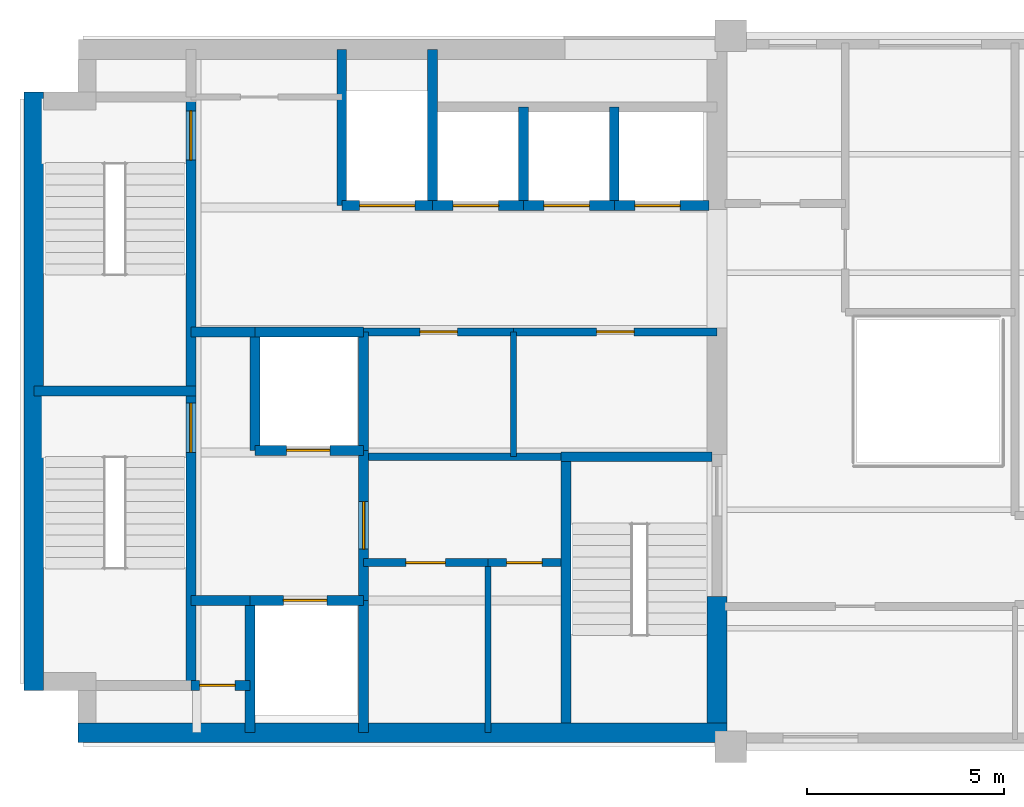
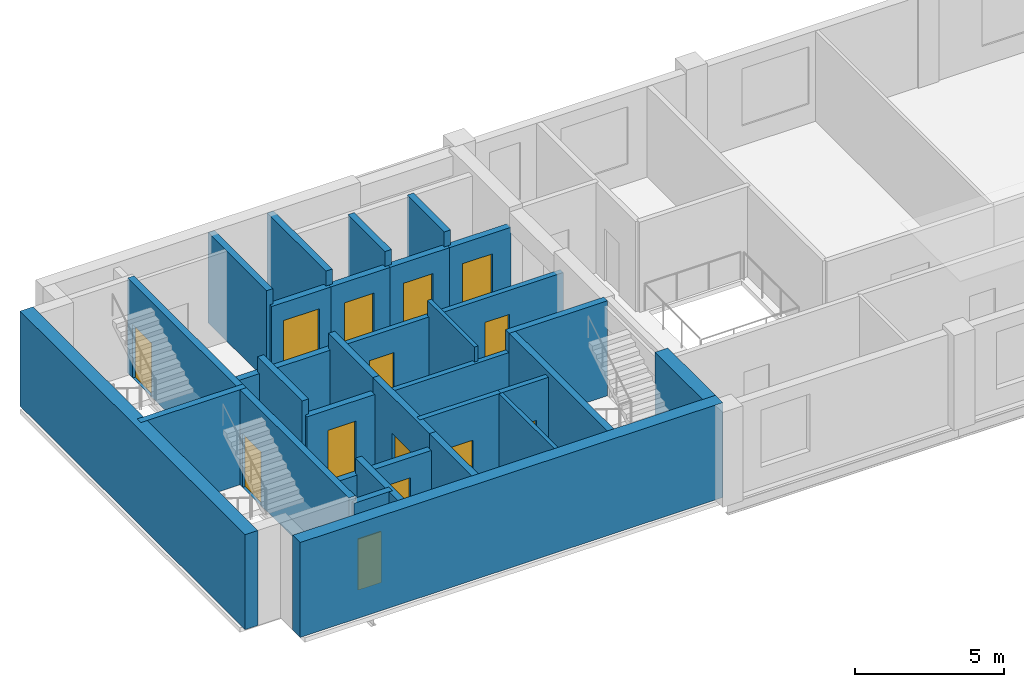
# One storey, part 2 of 5: 34 walls, 14 doors, 14 openings.
"""IFC4 building model written with IfcOpenShell, lengths in metres."""

from ifc_helpers import new_model, si_unit, direction, frame, frame_2d, origin, place, context, subcontext, project, spatial, rectangle, extrude, material, layer, layer_set, type_object, element, fill, save


model = new_model("IFC4")

# Units and contexts
model_context = context("Model", 3, precision=1e-05, world=origin(), true_north=direction((0.0, 1.0)))
body_context = subcontext(model_context, "Body", "Model", "MODEL_VIEW")
ifc_project = project(units=[si_unit("LENGTHUNIT", "METRE"), si_unit("AREAUNIT", "SQUARE_METRE"), si_unit("VOLUMEUNIT", "CUBIC_METRE"), si_unit("PLANEANGLEUNIT", "RADIAN"), si_unit("MASSUNIT", "GRAM", prefix="KILO")], contexts=[model_context])

# Site, building, storey
site_placement = place(None, origin())
site = spatial("IfcSite", under=ifc_project, at=site_placement, CompositionType="ELEMENT")
building_placement = place(site_placement, origin())
building = spatial("IfcBuilding", under=site, at=building_placement, Name="Mawjdan Bourse Tower", CompositionType="ELEMENT")
storey_placement = place(building_placement, frame((0.0, 0.0, 266.39990234375)))
storey = spatial("IfcBuildingStorey", under=building, at=storey_placement, Name="L65", CompositionType="ELEMENT", Elevation=266.39990234375)

# Wall, opening, door
ifc_material_1 = material(Name="Gypsum Fireboard Assembly")
ifc_layer_1 = layer(ifc_material_1, 0.199951171875)
ifc_layer_set_1 = layer_set([ifc_layer_1], Name="Gypsum Fireboard Assembly")
wall_type_1 = type_object("IfcWallType", Name="WL-CMP-200", PredefinedType="PARTITIONING", material=ifc_layer_set_1)
wall_1_placement = place(storey_placement, frame((14.699951171875, 7.659912109375, 0.0), z_axis=(0.0, 0.0, 1.0), x_axis=(1.0, 0.0, 0.0)))
wall_1 = element("IfcWall", 1, at=wall_1_placement, inside=storey, type_object=wall_type_1, Name="L65 Prayer & Quiet Reflection Room North Wall", PredefinedType="PARTITIONING", context=body_context, shape_type="SweptSolid", body=[
    extrude(rectangle(XDim=3.150146484375, YDim=0.199951171875, at=frame_2d((1.5751953125, 0.0))), origin(), (0.0, 0.0, 1.0), 3.705078125),
])
opening_1_placement = place(wall_1_placement, frame((1.074951171875, 0.0, 0.0)))
opening_1 = element("IfcOpeningElement", 2, at=opening_1_placement, cuts=wall_1, Name="Opening D-L65-13", PredefinedType="OPENING", context=body_context, shape_type="SweptSolid", body=[
    extrude(rectangle(XDim=1.0, YDim=2.14990234375, at=frame_2d((0.5, 1.074951171875))), frame((0.0, 0.10986328125, 0.0), z_axis=(0.0, -1.0, 0.0), x_axis=(1.0, 0.0, 0.0)), (0.0, 0.0, 1.0), 0.219970703125),
])
ifc_material_2 = material(Name="Hardwood Acoustic Leaf", Category="wood")
door_type_1 = type_object("IfcDoorType", Name="DR-OFC-1000", OperationType="NOTDEFINED", PredefinedType="DOOR", material=ifc_material_2)
door_1_placement = place(opening_1_placement, origin())
door_1 = element("IfcDoor", 3, at=door_1_placement, inside=storey, type_object=door_type_1, Name="L65 Prayer & Quiet Reflection Room Door D-L65-13", OperationType="SINGLE_SWING_RIGHT", OverallHeight=2.14990234375, OverallWidth=1.0, PredefinedType="DOOR", context=body_context, shape_type="SweptSolid", body=[
    extrude(rectangle(XDim=1.0, YDim=2.14990234375, at=frame_2d((0.5, 1.074951171875))), frame((0.0, 0.02490234375, 0.0), z_axis=(0.0, -1.0, 0.0), x_axis=(1.0, 0.0, 0.0)), (0.0, 0.0, 1.0), 0.050048828125),
])
fill(opening_1, door_1)

wall_2_placement = place(storey_placement, frame((17.85009765625, 7.659912109375, 0.0), z_axis=(0.0, 0.0, 1.0), x_axis=(1.0, 0.0, 0.0)))
wall_2 = element("IfcWall", 4, at=wall_2_placement, inside=storey, type_object=wall_type_1, Name="L65 Electrical Switchboard Room North Wall", PredefinedType="PARTITIONING", context=body_context, shape_type="SweptSolid", body=[
    extrude(rectangle(XDim=1.849853515625, YDim=0.199951171875, at=frame_2d((0.9248046875, 0.0))), origin(), (0.0, 0.0, 1.0), 3.705078125),
])
opening_2_placement = place(wall_2_placement, frame((0.47509765625, 0.0, 0.0)))
opening_2 = element("IfcOpeningElement", 5, at=opening_2_placement, cuts=wall_2, Name="Opening D-L65-14", PredefinedType="OPENING", context=body_context, shape_type="SweptSolid", body=[
    extrude(rectangle(XDim=0.89990234375, YDim=2.10009765625, at=frame_2d((0.449951171875, 1.050048828125))), frame((0.0, 0.10986328125, 0.0), z_axis=(0.0, -1.0, 0.0), x_axis=(1.0, 0.0, 0.0)), (0.0, 0.0, 1.0), 0.219970703125),
])
ifc_material_3 = material(Name="Fire-Rated Steel Access Leaf", Category="steel")
door_type_2 = type_object("IfcDoorType", Name="FD-RSR-0900", OperationType="NOTDEFINED", PredefinedType="TRAPDOOR", material=ifc_material_3)
door_2_placement = place(opening_2_placement, origin())
door_2 = element("IfcDoor", 6, at=door_2_placement, inside=storey, type_object=door_type_2, Name="L65 Electrical Switchboard Room Door D-L65-14", OperationType="SINGLE_SWING_LEFT", OverallHeight=2.10009765625, OverallWidth=0.89990234375, PredefinedType="TRAPDOOR", context=body_context, shape_type="SweptSolid", body=[
    extrude(rectangle(XDim=0.89990234375, YDim=2.10009765625, at=frame_2d((0.449951171875, 1.050048828125))), frame((0.0, 0.02490234375, 0.0), z_axis=(0.0, -1.0, 0.0), x_axis=(1.0, 0.0, 0.0)), (0.0, 0.0, 1.0), 0.050048828125),
])
fill(opening_2, door_2)

# Wall
wall_3_placement = place(storey_placement, frame((14.824951171875, 10.340087890625, 0.0), z_axis=(0.0, 0.0, 1.0), x_axis=(1.0, 0.0, 0.0)))
element("IfcWall", 7, at=wall_3_placement, inside=storey, type_object=wall_type_1, Name="L65 Core Restroom Suite South Wall", PredefinedType="PARTITIONING", context=body_context, shape_type="SweptSolid", body=[
    extrude(rectangle(XDim=4.880126953125, YDim=0.199951171875, at=frame_2d((2.43994140625, 0.0))), origin(), (0.0, 0.0, 1.0), 3.088134765625),
])

# Wall, opening, door
wall_4_placement = place(storey_placement, frame((14.699951171875, 13.5, 0.0), z_axis=(0.0, 0.0, 1.0), x_axis=(1.0, 0.0, 0.0)))
wall_4 = element("IfcWall", 8, at=wall_4_placement, inside=storey, type_object=wall_type_1, Name="L65 Accessible WC North Wall", PredefinedType="PARTITIONING", context=body_context, shape_type="SweptSolid", body=[
    extrude(rectangle(XDim=3.800048828125, YDim=0.199951171875, at=frame_2d((1.89990234375, 0.0))), origin(), (0.0, 0.0, 1.0), 3.088134765625),
])
opening_3_placement = place(wall_4_placement, frame((1.425048828125, 0.0, 0.0)))
opening_3 = element("IfcOpeningElement", 9, at=opening_3_placement, cuts=wall_4, Name="Opening D-L65-15", PredefinedType="OPENING", context=body_context, shape_type="SweptSolid", body=[
    extrude(rectangle(XDim=0.949951171875, YDim=2.10009765625, at=frame_2d((0.47509765625, 1.050048828125))), frame((0.0, 0.10986328125, 0.0), z_axis=(0.0, -1.0, 0.0), x_axis=(1.0, 0.0, 0.0)), (0.0, 0.0, 1.0), 0.219970703125),
])
ifc_material_4 = material(Name="Moisture-Resistant Laminate Timber", Category="wood")
door_type_3 = type_object("IfcDoorType", Name="DR-WET-0950", OperationType="NOTDEFINED", PredefinedType="DOOR", material=ifc_material_4)
door_3_placement = place(opening_3_placement, origin())
door_3 = element("IfcDoor", 10, at=door_3_placement, inside=storey, type_object=door_type_3, Name="L65 Accessible WC Door D-L65-15", OperationType="SINGLE_SWING_RIGHT", OverallHeight=2.10009765625, OverallWidth=0.949951171875, PredefinedType="DOOR", context=body_context, shape_type="SweptSolid", body=[
    extrude(rectangle(XDim=0.949951171875, YDim=2.10009765625, at=frame_2d((0.47509765625, 1.050048828125))), frame((0.0, 0.02490234375, 0.0), z_axis=(0.0, -1.0, 0.0), x_axis=(1.0, 0.0, 0.0)), (0.0, 0.0, 1.0), 0.050048828125),
])
fill(opening_3, door_3)

wall_5_placement = place(storey_placement, frame((18.5, 13.5, 0.0), z_axis=(0.0, 0.0, 1.0), x_axis=(1.0, 0.0, 0.0)))
wall_5 = element("IfcWall", 11, at=wall_5_placement, inside=storey, type_object=wall_type_1, Name="L65 Female Restroom North Wall", PredefinedType="PARTITIONING", context=body_context, shape_type="SweptSolid", body=[
    extrude(rectangle(XDim=5.14990234375, YDim=0.199951171875, at=frame_2d((2.574951171875, 0.0))), origin(), (0.0, 0.0, 1.0), 3.088134765625),
])
opening_4_placement = place(wall_5_placement, frame((2.10009765625, 0.0, 0.0)))
opening_4 = element("IfcOpeningElement", 12, at=opening_4_placement, cuts=wall_5, Name="Opening D-L65-16", PredefinedType="OPENING", context=body_context, shape_type="SweptSolid", body=[
    extrude(rectangle(XDim=0.949951171875, YDim=2.10009765625, at=frame_2d((0.47509765625, 1.050048828125))), frame((0.0, 0.10986328125, 0.0), z_axis=(0.0, -1.0, 0.0), x_axis=(1.0, 0.0, 0.0)), (0.0, 0.0, 1.0), 0.219970703125),
])
door_4_placement = place(opening_4_placement, origin())
door_4 = element("IfcDoor", 13, at=door_4_placement, inside=storey, type_object=door_type_3, Name="L65 Female Restroom Door D-L65-16", OperationType="SINGLE_SWING_LEFT", OverallHeight=2.10009765625, OverallWidth=0.949951171875, PredefinedType="DOOR", context=body_context, shape_type="SweptSolid", body=[
    extrude(rectangle(XDim=0.949951171875, YDim=2.10009765625, at=frame_2d((0.47509765625, 1.050048828125))), frame((0.0, 0.02490234375, 0.0), z_axis=(0.0, -1.0, 0.0), x_axis=(1.0, 0.0, 0.0)), (0.0, 0.0, 1.0), 0.050048828125),
])
fill(opening_4, door_4)

# Walls
ifc_material_5 = material(Name="Concrete C60/75", Category="concrete")
ifc_layer_2 = layer(ifc_material_5, 0.5)
ifc_layer_set_2 = layer_set([ifc_layer_2], Name="Concrete C60/75")
wall_type_2 = type_object("IfcWallType", Name="WL-CORE-500", PredefinedType="SHEAR", material=ifc_layer_set_2)
wall_6_placement = place(storey_placement, frame((7.47509765625, 3.35009765625, 0.0), z_axis=(0.0, 0.0, 1.0), x_axis=(1.0, 0.0, 0.0)))
element("IfcWall", 14, at=wall_6_placement, inside=storey, type_object=wall_type_2, Name="L65 Rear Core Shear Wall S", PredefinedType="SHEAR", context=body_context, shape_type="SweptSolid", body=[
    extrude(rectangle(XDim=16.4248046875, YDim=0.5, at=frame_2d((8.21240234375, 0.0))), origin(), (0.0, 0.0, 1.0), 3.900146484375),
])
wall_7_placement = place(storey_placement, frame((6.35009765625, 4.425048828125, 0.0), z_axis=(0.0, 0.0, 1.0), x_axis=(0.0, 1.0, 0.0)))
element("IfcWall", 15, at=wall_7_placement, inside=storey, type_object=wall_type_2, Name="L65 Rear Core Shear Wall W", PredefinedType="SHEAR", context=body_context, shape_type="SweptSolid", body=[
    extrude(rectangle(XDim=15.14990234375, YDim=0.5, at=frame_2d((7.574951171875, 0.0))), origin(), (0.0, 0.0, 1.0), 3.900146484375),
])
wall_8_placement = place(storey_placement, frame((23.64990234375, 3.60009765625, 0.0), z_axis=(0.0, 0.0, 1.0), x_axis=(0.0, 1.0, 0.0)))
element("IfcWall", 16, at=wall_8_placement, inside=storey, type_object=wall_type_2, Name="L65 Rear Core Shear Wall E1", PredefinedType="SHEAR", context=body_context, shape_type="SweptSolid", body=[
    extrude(rectangle(XDim=3.199951171875, YDim=0.5, at=frame_2d((1.60009765625, 0.0))), origin(), (0.0, 0.0, 1.0), 3.900146484375),
])
ifc_material_6 = material(Name="Gypsum Acoustic Partition")
ifc_layer_3 = layer(ifc_material_6, 0.14990234375)
ifc_layer_set_3 = layer_set([ifc_layer_3], Name="Gypsum Acoustic Partition")
wall_type_3 = type_object("IfcWallType", Name="WL-PRT-150", PredefinedType="PARTITIONING", material=ifc_layer_set_3)
wall_9_placement = place(storey_placement, frame((17.85009765625, 3.35009765625, 0.0), z_axis=(0.0, 0.0, 1.0), x_axis=(0.0, 1.0, 0.0)))
element("IfcWall", 17, at=wall_9_placement, inside=storey, type_object=wall_type_3, Name="L65 Electrical Switchboard Room Core Split Wall", PredefinedType="PARTITIONING", context=body_context, shape_type="SweptSolid", body=[
    extrude(rectangle(XDim=4.309814453125, YDim=0.14990234375, at=frame_2d((2.15478515625, 0.0))), origin(), (0.0, 0.0, 1.0), 3.705078125),
])
wall_10_placement = place(storey_placement, frame((18.5, 10.340087890625, 0.0), z_axis=(0.0, 0.0, 1.0), x_axis=(0.0, 1.0, 0.0)))
element("IfcWall", 18, at=wall_10_placement, inside=storey, type_object=wall_type_3, Name="L65 Female Restroom Split Wall", PredefinedType="PARTITIONING", context=body_context, shape_type="SweptSolid", body=[
    extrude(rectangle(XDim=3.159912109375, YDim=0.14990234375, at=frame_2d((1.580078125, 0.0))), origin(), (0.0, 0.0, 1.0), 3.705078125),
])

# Wall, opening, door
ifc_material_7 = material(Name="Concrete C50/60", Category="concrete")
ifc_layer_4 = layer(ifc_material_7, 0.25)
ifc_layer_set_4 = layer_set([ifc_layer_4], Name="Concrete C50/60")
wall_type_4 = type_object("IfcWallType", Name="WL-SHFT-250", PredefinedType="PARTITIONING", material=ifc_layer_set_4)
wall_11_placement = place(storey_placement, frame((10.330078125, 4.550048828125, 0.0), z_axis=(0.0, 0.0, 1.0), x_axis=(1.0, 0.0, 0.0)))
wall_11 = element("IfcWall", 19, at=wall_11_placement, inside=storey, type_object=wall_type_4, Name="L65 SW Riser North Wall", PredefinedType="PARTITIONING", context=body_context, shape_type="SweptSolid", body=[
    extrude(rectangle(XDim=1.489990234375, YDim=0.25, at=frame_2d((0.7451171875, 0.0))), origin(), (0.0, 0.0, 1.0), 3.705078125),
])
opening_5_placement = place(wall_11_placement, frame((0.219970703125, 0.0, 0.0)))
opening_5 = element("IfcOpeningElement", 20, at=opening_5_placement, cuts=wall_11, Name="Opening RD-L65-03", PredefinedType="OPENING", context=body_context, shape_type="SweptSolid", body=[
    extrude(rectangle(XDim=0.89990234375, YDim=2.10009765625, at=frame_2d((0.449951171875, 1.050048828125))), frame((0.0, 0.135009765625, 0.0), z_axis=(0.0, -1.0, 0.0), x_axis=(1.0, 0.0, 0.0)), (0.0, 0.0, 1.0), 0.27001953125),
])
door_5_placement = place(opening_5_placement, origin())
door_5 = element("IfcDoor", 21, at=door_5_placement, inside=storey, type_object=door_type_2, Name="L65 Electrical Riser Access Door RD-L65-03", OperationType="SINGLE_SWING_RIGHT", OverallHeight=2.10009765625, OverallWidth=0.89990234375, PredefinedType="TRAPDOOR", context=body_context, shape_type="SweptSolid", body=[
    extrude(rectangle(XDim=0.89990234375, YDim=2.10009765625, at=frame_2d((0.449951171875, 1.050048828125))), frame((0.0, 0.02490234375, 0.0), z_axis=(0.0, -1.0, 0.0), x_axis=(1.0, 0.0, 0.0)), (0.0, 0.0, 1.0), 0.050048828125),
])
fill(opening_5, door_5)

# Wall
wall_12_placement = place(storey_placement, frame((11.820068359375, 3.35009765625, 0.0), z_axis=(0.0, 0.0, 1.0), x_axis=(0.0, 1.0, 0.0)))
element("IfcWall", 22, at=wall_12_placement, inside=storey, type_object=wall_type_4, Name="L65 SW Riser & FFL01 West Wall", PredefinedType="PARTITIONING", context=body_context, shape_type="SweptSolid", body=[
    extrude(rectangle(XDim=3.349853515625, YDim=0.25, at=frame_2d((1.6748046875, 0.0))), origin(), (0.0, 0.0, 1.0), 3.705078125),
])

# Wall, opening, door
wall_13_placement = place(storey_placement, frame((11.820068359375, 6.699951171875, 0.0), z_axis=(0.0, 0.0, 1.0), x_axis=(1.0, 0.0, 0.0)))
wall_13 = element("IfcWall", 23, at=wall_13_placement, inside=storey, type_object=wall_type_4, Name="L65 FFL-01 Front Shaft Wall", PredefinedType="PARTITIONING", context=body_context, shape_type="SweptSolid", body=[
    extrude(rectangle(XDim=2.8798828125, YDim=0.25, at=frame_2d((1.43994140625, 0.0))), origin(), (0.0, 0.0, 1.0), 3.088134765625),
])
opening_6_placement = place(wall_13_placement, frame((0.85009765625, 0.0, 0.0)))
opening_6 = element("IfcOpeningElement", 24, at=opening_6_placement, cuts=wall_13, Name="Opening LD-L65-05", PredefinedType="OPENING", context=body_context, shape_type="SweptSolid", body=[
    extrude(rectangle(XDim=1.10009765625, YDim=2.25, at=frame_2d((0.550048828125, 1.125))), frame((0.0, 0.135009765625, 0.0), z_axis=(0.0, -1.0, 0.0), x_axis=(1.0, 0.0, 0.0)), (0.0, 0.0, 1.0), 0.27001953125),
])
ifc_material_8 = material(Name="Brushed Stainless Steel", Category="steel")
door_type_4 = type_object("IfcDoorType", Name="LD-FFL-1100", OperationType="DOUBLE_DOOR_SLIDING", PredefinedType="DOOR", material=ifc_material_8)
door_6_placement = place(opening_6_placement, origin())
door_6 = element("IfcDoor", 25, at=door_6_placement, inside=storey, type_object=door_type_4, Name="L65 Firefighting Lift FFL-01 Landing Door LD-L65-05", OperationType="DOUBLE_DOOR_SLIDING", OverallHeight=2.25, OverallWidth=1.10009765625, PredefinedType="DOOR", context=body_context, shape_type="SweptSolid", body=[
    extrude(rectangle(XDim=1.10009765625, YDim=2.25, at=frame_2d((0.550048828125, 1.125))), frame((0.0, 0.02490234375, 0.0), z_axis=(0.0, -1.0, 0.0), x_axis=(1.0, 0.0, 0.0)), (0.0, 0.0, 1.0), 0.050048828125),
])
fill(opening_6, door_6)

# Wall
wall_14_placement = place(storey_placement, frame((14.699951171875, 3.35009765625, 0.0), z_axis=(0.0, 0.0, 1.0), x_axis=(0.0, 1.0, 0.0)))
element("IfcWall", 26, at=wall_14_placement, inside=storey, type_object=wall_type_4, Name="L65 FFL-01 East Shaft Wall", PredefinedType="PARTITIONING", context=body_context, shape_type="SweptSolid", body=[
    extrude(rectangle(XDim=3.349853515625, YDim=0.25, at=frame_2d((1.6748046875, 0.0))), origin(), (0.0, 0.0, 1.0), 3.705078125),
])

# Wall, opening, door
wall_15_placement = place(storey_placement, frame((11.949951171875, 10.5, 0.0), z_axis=(0.0, 0.0, 1.0), x_axis=(1.0, 0.0, 0.0)))
wall_15 = element("IfcWall", 27, at=wall_15_placement, inside=storey, type_object=wall_type_4, Name="L65 FFL-02 Front Shaft Wall", PredefinedType="PARTITIONING", context=body_context, shape_type="SweptSolid", body=[
    extrude(rectangle(XDim=2.75, YDim=0.25, at=frame_2d((1.375, 0.0))), origin(), (0.0, 0.0, 1.0), 3.088134765625),
])
opening_7_placement = place(wall_15_placement, frame((0.800048828125, 0.0, 0.0)))
opening_7 = element("IfcOpeningElement", 28, at=opening_7_placement, cuts=wall_15, Name="Opening LD-L65-06", PredefinedType="OPENING", context=body_context, shape_type="SweptSolid", body=[
    extrude(rectangle(XDim=1.10009765625, YDim=2.25, at=frame_2d((0.550048828125, 1.125))), frame((0.0, 0.135009765625, 0.0), z_axis=(0.0, -1.0, 0.0), x_axis=(1.0, 0.0, 0.0)), (0.0, 0.0, 1.0), 0.27001953125),
])
door_7_placement = place(opening_7_placement, origin())
door_7 = element("IfcDoor", 29, at=door_7_placement, inside=storey, type_object=door_type_4, Name="L65 Firefighting Lift FFL-02 Landing Door LD-L65-06", OperationType="DOUBLE_DOOR_SLIDING", OverallHeight=2.25, OverallWidth=1.10009765625, PredefinedType="DOOR", context=body_context, shape_type="SweptSolid", body=[
    extrude(rectangle(XDim=1.10009765625, YDim=2.25, at=frame_2d((0.550048828125, 1.125))), frame((0.0, 0.02490234375, 0.0), z_axis=(0.0, -1.0, 0.0), x_axis=(1.0, 0.0, 0.0)), (0.0, 0.0, 1.0), 0.050048828125),
])
fill(opening_7, door_7)

# Walls
wall_16_placement = place(storey_placement, frame((11.949951171875, 10.5, 0.0), z_axis=(0.0, 0.0, 1.0), x_axis=(0.0, 1.0, 0.0)))
element("IfcWall", 30, at=wall_16_placement, inside=storey, type_object=wall_type_4, Name="L65 FFL-02 West Shaft Wall", PredefinedType="PARTITIONING", context=body_context, shape_type="SweptSolid", body=[
    extrude(rectangle(XDim=3.0, YDim=0.25, at=frame_2d((1.5, 0.0))), origin(), (0.0, 0.0, 1.0), 3.705078125),
])
wall_17_placement = place(storey_placement, frame((11.949951171875, 13.5, 0.0), z_axis=(0.0, 0.0, 1.0), x_axis=(1.0, 0.0, 0.0)))
element("IfcWall", 31, at=wall_17_placement, inside=storey, type_object=wall_type_4, Name="L65 FFL-02 North Shaft Wall", PredefinedType="PARTITIONING", context=body_context, shape_type="SweptSolid", body=[
    extrude(rectangle(XDim=2.75, YDim=0.25, at=frame_2d((1.375, 0.0))), origin(), (0.0, 0.0, 1.0), 3.088134765625),
])
wall_18_placement = place(storey_placement, frame((14.699951171875, 10.5, 0.0), z_axis=(0.0, 0.0, 1.0), x_axis=(0.0, 1.0, 0.0)))
element("IfcWall", 32, at=wall_18_placement, inside=storey, type_object=wall_type_4, Name="L65 FFL-02 East Shaft Wall", PredefinedType="PARTITIONING", context=body_context, shape_type="SweptSolid", body=[
    extrude(rectangle(XDim=3.0, YDim=0.25, at=frame_2d((1.5, 0.0))), origin(), (0.0, 0.0, 1.0), 3.705078125),
])

# Wall, opening, door
wall_19_placement = place(storey_placement, frame((14.699951171875, 6.699951171875, 0.0), z_axis=(0.0, 0.0, 1.0), x_axis=(0.0, 1.0, 0.0)))
wall_19 = element("IfcWall", 33, at=wall_19_placement, inside=storey, type_object=wall_type_4, Name="L65 Firefighting Lobby East Compartment Wall", PredefinedType="PARTITIONING", context=body_context, shape_type="SweptSolid", body=[
    extrude(rectangle(XDim=3.800048828125, YDim=0.25, at=frame_2d((1.89990234375, 0.0))), origin(), (0.0, 0.0, 1.0), 3.705078125),
])
opening_8_placement = place(wall_19_placement, frame((1.300048828125, 0.0, 0.0)))
opening_8 = element("IfcOpeningElement", 34, at=opening_8_placement, cuts=wall_19, Name="Opening FD-L65-07", PredefinedType="OPENING", context=body_context, shape_type="SweptSolid", body=[
    extrude(rectangle(XDim=1.199951171875, YDim=2.199951171875, at=frame_2d((0.60009765625, 1.10009765625))), frame((0.0, 0.135009765625, 0.0), z_axis=(0.0, -1.0, 0.0), x_axis=(1.0, 0.0, 0.0)), (0.0, 0.0, 1.0), 0.27001953125),
])
ifc_material_9 = material(Name="Fire-Rated Steel Leaf", Category="steel")
door_type_5 = type_object("IfcDoorType", Name="FD-FFL-1200", OperationType="NOTDEFINED", PredefinedType="DOOR", material=ifc_material_9)
door_8_placement = place(opening_8_placement, origin())
door_8 = element("IfcDoor", 35, at=door_8_placement, inside=storey, type_object=door_type_5, Name="L65 Firefighting Lobby East Smoke Door FD-L65-07", OperationType="SINGLE_SWING_RIGHT", OverallHeight=2.199951171875, OverallWidth=1.199951171875, PredefinedType="DOOR", context=body_context, shape_type="SweptSolid", body=[
    extrude(rectangle(XDim=1.199951171875, YDim=2.199951171875, at=frame_2d((0.60009765625, 1.10009765625))), frame((0.0, 0.02490234375, 0.0), z_axis=(0.0, -1.0, 0.0), x_axis=(1.0, 0.0, 0.0)), (0.0, 0.0, 1.0), 0.050048828125),
])
fill(opening_8, door_8)

# Walls
wall_20_placement = place(storey_placement, frame((10.330078125, 13.5, 0.0), z_axis=(0.0, 0.0, 1.0), x_axis=(1.0, 0.0, 0.0)))
element("IfcWall", 36, at=wall_20_placement, inside=storey, type_object=wall_type_4, Name="L65 Firefighting Lobby North Compartment Wall", PredefinedType="PARTITIONING", context=body_context, shape_type="SweptSolid", body=[
    extrude(rectangle(XDim=1.619873046875, YDim=0.25, at=frame_2d((0.81005859375, 0.0))), origin(), (0.0, 0.0, 1.0), 3.088134765625),
])
wall_21_placement = place(storey_placement, frame((10.330078125, 6.699951171875, 0.0), z_axis=(0.0, 0.0, 1.0), x_axis=(1.0, 0.0, 0.0)))
element("IfcWall", 37, at=wall_21_placement, inside=storey, type_object=wall_type_4, Name="L65 Firefighting Lobby South Closure Wall", PredefinedType="PARTITIONING", context=body_context, shape_type="SweptSolid", body=[
    extrude(rectangle(XDim=1.489990234375, YDim=0.25, at=frame_2d((0.7451171875, 0.0))), origin(), (0.0, 0.0, 1.0), 3.088134765625),
])

# Wall, opening, door
wall_22_placement = place(storey_placement, frame((14.14990234375, 16.699951171875, 0.0), z_axis=(0.0, 0.0, 1.0), x_axis=(1.0, 0.0, 0.0)))
wall_22 = element("IfcWall", 38, at=wall_22_placement, inside=storey, type_object=wall_type_4, Name="L65 SVL-01 Front Shaft Wall", PredefinedType="PARTITIONING", context=body_context, shape_type="SweptSolid", body=[
    extrude(rectangle(XDim=2.300048828125, YDim=0.25, at=frame_2d((1.14990234375, 0.0))), origin(), (0.0, 0.0, 1.0), 3.088134765625),
])
opening_9_placement = place(wall_22_placement, frame((0.449951171875, 0.0, 0.0)))
opening_9 = element("IfcOpeningElement", 39, at=opening_9_placement, cuts=wall_22, Name="Opening LD-L65-09", PredefinedType="OPENING", context=body_context, shape_type="SweptSolid", body=[
    extrude(rectangle(XDim=1.39990234375, YDim=2.35009765625, at=frame_2d((0.699951171875, 1.175048828125))), frame((0.0, 0.135009765625, 0.0), z_axis=(0.0, -1.0, 0.0), x_axis=(1.0, 0.0, 0.0)), (0.0, 0.0, 1.0), 0.27001953125),
])
ifc_material_10 = material(Name="Heavy-Duty Stainless Steel", Category="steel")
door_type_6 = type_object("IfcDoorType", Name="LD-SRV-1400", OperationType="DOUBLE_DOOR_SLIDING", PredefinedType="DOOR", material=ifc_material_10)
door_9_placement = place(opening_9_placement, origin())
door_9 = element("IfcDoor", 40, at=door_9_placement, inside=storey, type_object=door_type_6, Name="L65 Service Lift SVL-01 Landing Door LD-L65-09", OperationType="DOUBLE_DOOR_SLIDING", OverallHeight=2.35009765625, OverallWidth=1.39990234375, PredefinedType="DOOR", context=body_context, shape_type="SweptSolid", body=[
    extrude(rectangle(XDim=1.39990234375, YDim=2.35009765625, at=frame_2d((0.699951171875, 1.175048828125))), frame((0.0, 0.02490234375, 0.0), z_axis=(0.0, -1.0, 0.0), x_axis=(1.0, 0.0, 0.0)), (0.0, 0.0, 1.0), 0.050048828125),
])
fill(opening_9, door_9)

# Walls
for number, where, z_axis, x_axis, name in (
    (41, (14.14990234375, 16.699951171875, 0.0), (0.0, 0.0, 1.0), (0.0, 1.0, 0.0), "L65 SVL-01 West Shaft Wall"),
    (42, (16.449951171875, 16.699951171875, 0.0), (0.0, 0.0, 1.0), (0.0, 1.0, 0.0), "L65 SVL-01 East Shaft Wall"),
):
    element("IfcWall", number, at=place(storey_placement, frame(where, z_axis=z_axis, x_axis=x_axis)), inside=storey, type_object=wall_type_4, Name=name, PredefinedType="PARTITIONING", context=body_context, shape_type="SweptSolid", body=[
        extrude(rectangle(XDim=3.949951171875, YDim=0.25, at=frame_2d((1.97509765625, 0.0))), origin(), (0.0, 0.0, 1.0), 3.705078125),
    ])

# Wall, opening, door
wall_23_placement = place(storey_placement, frame((16.449951171875, 16.699951171875, 0.0), z_axis=(0.0, 0.0, 1.0), x_axis=(1.0, 0.0, 0.0)))
wall_23 = element("IfcWall", 43, at=wall_23_placement, inside=storey, type_object=wall_type_4, Name="L65 PH-01 Front Wall", PredefinedType="PARTITIONING", context=body_context, shape_type="SweptSolid", body=[
    extrude(rectangle(XDim=2.300048828125, YDim=0.25, at=frame_2d((1.14990234375, 0.0))), origin(), (0.0, 0.0, 1.0), 3.088134765625),
])
opening_10_placement = place(wall_23_placement, frame((0.52001953125, 0.0, 0.0)))
opening_10 = element("IfcOpeningElement", 44, at=opening_10_placement, cuts=wall_23, Name="Opening LD-L65-10", PredefinedType="OPENING", context=body_context, shape_type="SweptSolid", body=[
    extrude(rectangle(XDim=1.14990234375, YDim=2.25, at=frame_2d((0.574951171875, 1.125))), frame((0.0, 0.135009765625, 0.0), z_axis=(0.0, -1.0, 0.0), x_axis=(1.0, 0.0, 0.0)), (0.0, 0.0, 1.0), 0.27001953125),
])
door_type_7 = type_object("IfcDoorType", Name="LD-PAS-1150", OperationType="DOUBLE_DOOR_SLIDING", PredefinedType="DOOR", material=ifc_material_8)
door_10_placement = place(opening_10_placement, origin())
door_10 = element("IfcDoor", 45, at=door_10_placement, inside=storey, type_object=door_type_7, Name="L65 Lift PH-01 Landing Door LD-L65-10", OperationType="DOUBLE_DOOR_SLIDING", OverallHeight=2.25, OverallWidth=1.14990234375, PredefinedType="DOOR", context=body_context, shape_type="SweptSolid", body=[
    extrude(rectangle(XDim=1.14990234375, YDim=2.25, at=frame_2d((0.574951171875, 1.125))), frame((0.0, 0.02490234375, 0.0), z_axis=(0.0, -1.0, 0.0), x_axis=(1.0, 0.0, 0.0)), (0.0, 0.0, 1.0), 0.050048828125),
])
fill(opening_10, door_10)

# Wall
wall_24_placement = place(storey_placement, frame((18.75, 16.699951171875, 0.0), z_axis=(0.0, 0.0, 1.0), x_axis=(0.0, 1.0, 0.0)))
element("IfcWall", 46, at=wall_24_placement, inside=storey, type_object=wall_type_4, Name="L65 PH-01 Divider Wall", PredefinedType="PARTITIONING", context=body_context, shape_type="SweptSolid", body=[
    extrude(rectangle(XDim=2.5, YDim=0.25, at=frame_2d((1.25, 0.0))), origin(), (0.0, 0.0, 1.0), 3.705078125),
])

# Wall, opening, door
wall_25_placement = place(storey_placement, frame((18.75, 16.699951171875, 0.0), z_axis=(0.0, 0.0, 1.0), x_axis=(1.0, 0.0, 0.0)))
wall_25 = element("IfcWall", 47, at=wall_25_placement, inside=storey, type_object=wall_type_4, Name="L65 PH-02 Front Wall", PredefinedType="PARTITIONING", context=body_context, shape_type="SweptSolid", body=[
    extrude(rectangle(XDim=2.300048828125, YDim=0.25, at=frame_2d((1.14990234375, 0.0))), origin(), (0.0, 0.0, 1.0), 3.088134765625),
])
opening_11_placement = place(wall_25_placement, frame((0.52001953125, 0.0, 0.0)))
opening_11 = element("IfcOpeningElement", 48, at=opening_11_placement, cuts=wall_25, Name="Opening LD-L65-11", PredefinedType="OPENING", context=body_context, shape_type="SweptSolid", body=[
    extrude(rectangle(XDim=1.14990234375, YDim=2.25, at=frame_2d((0.574951171875, 1.125))), frame((0.0, 0.135009765625, 0.0), z_axis=(0.0, -1.0, 0.0), x_axis=(1.0, 0.0, 0.0)), (0.0, 0.0, 1.0), 0.27001953125),
])
door_11_placement = place(opening_11_placement, origin())
door_11 = element("IfcDoor", 49, at=door_11_placement, inside=storey, type_object=door_type_7, Name="L65 Lift PH-02 Landing Door LD-L65-11", OperationType="DOUBLE_DOOR_SLIDING", OverallHeight=2.25, OverallWidth=1.14990234375, PredefinedType="DOOR", context=body_context, shape_type="SweptSolid", body=[
    extrude(rectangle(XDim=1.14990234375, YDim=2.25, at=frame_2d((0.574951171875, 1.125))), frame((0.0, 0.02490234375, 0.0), z_axis=(0.0, -1.0, 0.0), x_axis=(1.0, 0.0, 0.0)), (0.0, 0.0, 1.0), 0.050048828125),
])
fill(opening_11, door_11)

# Wall
wall_26_placement = place(storey_placement, frame((21.050048828125, 16.699951171875, 0.0), z_axis=(0.0, 0.0, 1.0), x_axis=(0.0, 1.0, 0.0)))
element("IfcWall", 50, at=wall_26_placement, inside=storey, type_object=wall_type_4, Name="L65 PH-02 Divider Wall", PredefinedType="PARTITIONING", context=body_context, shape_type="SweptSolid", body=[
    extrude(rectangle(XDim=2.5, YDim=0.25, at=frame_2d((1.25, 0.0))), origin(), (0.0, 0.0, 1.0), 3.705078125),
])

# Wall, opening, door
wall_27_placement = place(storey_placement, frame((21.050048828125, 16.699951171875, 0.0), z_axis=(0.0, 0.0, 1.0), x_axis=(1.0, 0.0, 0.0)))
wall_27 = element("IfcWall", 51, at=wall_27_placement, inside=storey, type_object=wall_type_4, Name="L65 PH-03 Front Wall", PredefinedType="PARTITIONING", context=body_context, shape_type="SweptSolid", body=[
    extrude(rectangle(XDim=2.39990234375, YDim=0.25, at=frame_2d((1.199951171875, 0.0))), origin(), (0.0, 0.0, 1.0), 3.088134765625),
])
opening_12_placement = place(wall_27_placement, frame((0.52001953125, 0.0, 0.0)))
opening_12 = element("IfcOpeningElement", 52, at=opening_12_placement, cuts=wall_27, Name="Opening LD-L65-12", PredefinedType="OPENING", context=body_context, shape_type="SweptSolid", body=[
    extrude(rectangle(XDim=1.14990234375, YDim=2.25, at=frame_2d((0.574951171875, 1.125))), frame((0.0, 0.135009765625, 0.0), z_axis=(0.0, -1.0, 0.0), x_axis=(1.0, 0.0, 0.0)), (0.0, 0.0, 1.0), 0.27001953125),
])
door_12_placement = place(opening_12_placement, origin())
door_12 = element("IfcDoor", 53, at=door_12_placement, inside=storey, type_object=door_type_7, Name="L65 Lift PH-03 Landing Door LD-L65-12", OperationType="DOUBLE_DOOR_SLIDING", OverallHeight=2.25, OverallWidth=1.14990234375, PredefinedType="DOOR", context=body_context, shape_type="SweptSolid", body=[
    extrude(rectangle(XDim=1.14990234375, YDim=2.25, at=frame_2d((0.574951171875, 1.125))), frame((0.0, 0.02490234375, 0.0), z_axis=(0.0, -1.0, 0.0), x_axis=(1.0, 0.0, 0.0)), (0.0, 0.0, 1.0), 0.050048828125),
])
fill(opening_12, door_12)

# Wall
ifc_layer_5 = layer(ifc_material_7, 0.25)
ifc_layer_set_5 = layer_set([ifc_layer_5], Name="Concrete C50/60")
wall_type_5 = type_object("IfcWallType", Name="WL-STRW-250", PredefinedType="SHEAR", material=ifc_layer_set_5)
wall_28_placement = place(storey_placement, frame((6.35009765625, 12.0, 0.0), z_axis=(0.0, 0.0, 1.0), x_axis=(1.0, 0.0, 0.0)))
element("IfcWall", 54, at=wall_28_placement, inside=storey, type_object=wall_type_5, Name="L65 Stairwell Dividing Shaft Wall", PredefinedType="SHEAR", context=body_context, shape_type="SweptSolid", body=[
    extrude(rectangle(XDim=4.10498046875, YDim=0.25, at=frame_2d((2.052490234375, 0.0))), origin(), (0.0, 0.0, 1.0), 3.900146484375),
])

# Wall, opening, door
wall_29_placement = place(storey_placement, frame((10.330078125, 4.550048828125, 0.0), z_axis=(0.0, 0.0, 1.0), x_axis=(0.0, 1.0, 0.0)))
wall_29 = element("IfcWall", 55, at=wall_29_placement, inside=storey, type_object=wall_type_5, Name="L65 Stairwell ST1 East Enclosure Wall", PredefinedType="SHEAR", context=body_context, shape_type="SweptSolid", body=[
    extrude(rectangle(XDim=7.449951171875, YDim=0.25, at=frame_2d((3.72509765625, 0.0))), origin(), (0.0, 0.0, 1.0), 3.900146484375),
])
opening_13_placement = place(wall_29_placement, frame((5.89990234375, 0.0, 0.0)))
opening_13 = element("IfcOpeningElement", 56, at=opening_13_placement, cuts=wall_29, Name="Opening SD-L65-01", PredefinedType="OPENING", context=body_context, shape_type="SweptSolid", body=[
    extrude(rectangle(XDim=1.25, YDim=2.199951171875, at=frame_2d((0.625, 1.10009765625))), frame((0.0, 0.135009765625, 0.0), z_axis=(0.0, -1.0, 0.0), x_axis=(1.0, 0.0, 0.0)), (0.0, 0.0, 1.0), 0.27001953125),
])
door_type_8 = type_object("IfcDoorType", Name="FD-ST-1250", OperationType="NOTDEFINED", PredefinedType="DOOR", material=ifc_material_9)
door_13_placement = place(opening_13_placement, origin())
door_13 = element("IfcDoor", 57, at=door_13_placement, inside=storey, type_object=door_type_8, Name="L65 Exit Stair ST1 Fire Door SD-L65-01", OperationType="SINGLE_SWING_RIGHT", OverallHeight=2.199951171875, OverallWidth=1.25, PredefinedType="DOOR", context=body_context, shape_type="SweptSolid", body=[
    extrude(rectangle(XDim=1.25, YDim=2.199951171875, at=frame_2d((0.625, 1.10009765625))), frame((0.0, 0.02490234375, 0.0), z_axis=(0.0, -1.0, 0.0), x_axis=(1.0, 0.0, 0.0)), (0.0, 0.0, 1.0), 0.050048828125),
])
fill(opening_13, door_13)

wall_30_placement = place(storey_placement, frame((10.330078125, 12.0, 0.0), z_axis=(0.0, 0.0, 1.0), x_axis=(0.0, 1.0, 0.0)))
wall_30 = element("IfcWall", 58, at=wall_30_placement, inside=storey, type_object=wall_type_5, Name="L65 Stairwell ST2 East Enclosure Wall", PredefinedType="SHEAR", context=body_context, shape_type="SweptSolid", body=[
    extrude(rectangle(XDim=7.449951171875, YDim=0.25, at=frame_2d((3.72509765625, 0.0))), origin(), (0.0, 0.0, 1.0), 3.900146484375),
])
opening_14_placement = place(wall_30_placement, frame((5.85009765625, 0.0, 0.0)))
opening_14 = element("IfcOpeningElement", 59, at=opening_14_placement, cuts=wall_30, Name="Opening SD-L65-02", PredefinedType="OPENING", context=body_context, shape_type="SweptSolid", body=[
    extrude(rectangle(XDim=1.25, YDim=2.199951171875, at=frame_2d((0.625, 1.10009765625))), frame((0.0, 0.135009765625, 0.0), z_axis=(0.0, -1.0, 0.0), x_axis=(1.0, 0.0, 0.0)), (0.0, 0.0, 1.0), 0.27001953125),
])
door_14_placement = place(opening_14_placement, origin())
door_14 = element("IfcDoor", 60, at=door_14_placement, inside=storey, type_object=door_type_8, Name="L65 Exit Stair ST2 Fire Door SD-L65-02", OperationType="SINGLE_SWING_LEFT", OverallHeight=2.199951171875, OverallWidth=1.25, PredefinedType="DOOR", context=body_context, shape_type="SweptSolid", body=[
    extrude(rectangle(XDim=1.25, YDim=2.199951171875, at=frame_2d((0.625, 1.10009765625))), frame((0.0, 0.02490234375, 0.0), z_axis=(0.0, -1.0, 0.0), x_axis=(1.0, 0.0, 0.0)), (0.0, 0.0, 1.0), 0.050048828125),
])
fill(opening_14, door_14)

# Walls
wall_31_placement = place(storey_placement, frame((19.830078125, 3.60009765625, 0.0), z_axis=(0.0, 0.0, 1.0), x_axis=(0.0, 1.0, 0.0)))
element("IfcWall", 61, at=wall_31_placement, inside=storey, type_object=wall_type_5, Name="L65 ST7 West Shaft Wall", PredefinedType="SHEAR", context=body_context, shape_type="SweptSolid", body=[
    extrude(rectangle(XDim=6.739990234375, YDim=0.25, at=frame_2d((3.3701171875, 0.0))), origin(), (0.0, 0.0, 1.0), 3.900146484375),
])
wall_32_placement = place(storey_placement, frame((19.705078125, 10.340087890625, 0.0), z_axis=(0.0, 0.0, 1.0), x_axis=(1.0, 0.0, 0.0)))
element("IfcWall", 62, at=wall_32_placement, inside=storey, type_object=wall_type_5, Name="L65 ST7 North Shaft Wall", PredefinedType="SHEAR", context=body_context, shape_type="SweptSolid", body=[
    extrude(rectangle(XDim=3.81982421875, YDim=0.25, at=frame_2d((1.909912109375, 0.0))), origin(), (0.0, 0.0, 1.0), 3.900146484375),
])

save(model, "model.ifc")
